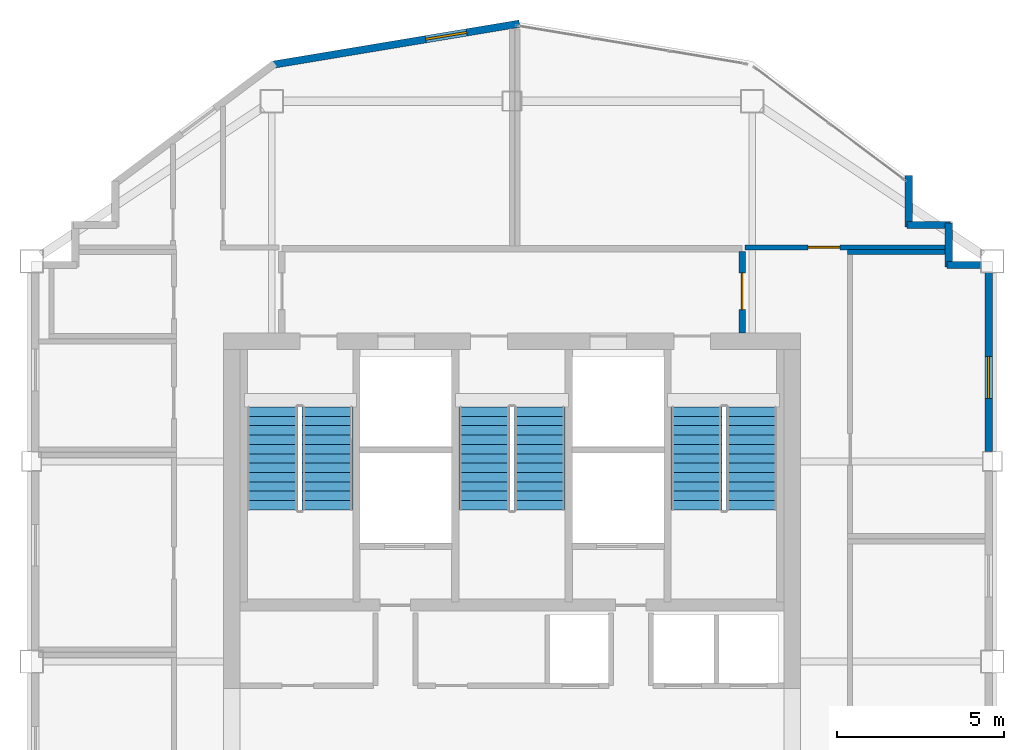
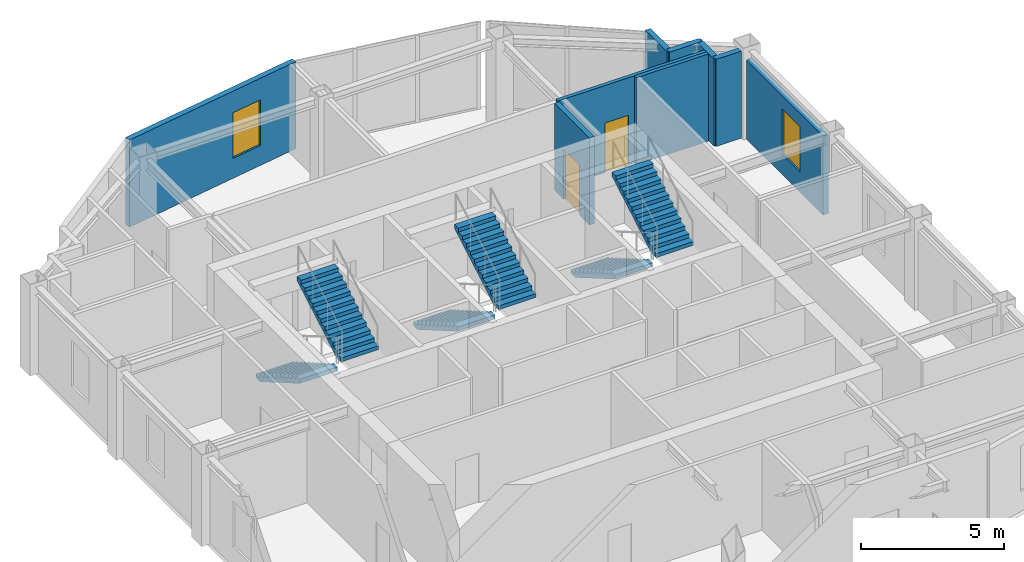
# One storey, part 7 of 8: 9 walls, 6 stair flights, 2 doors, 2 windows, 4 openings, 3 elements without a shape of their own.
"""IFC4 building model written with IfcOpenShell, lengths in metres."""

from ifc_helpers import new_model, si_unit, direction, frame, frame_2d, origin, place, context, subcontext, project, spatial, polyline, rectangle, outline, extrude, material, layer, layer_set, type_object, element, fill, aggregate, save


model = new_model("IFC4")

# Units and contexts
model_context = context("Model", 3, precision=1e-05, world=origin(), true_north=direction((0.0, 1.0)))
body_context = subcontext(model_context, "Body", "Model", "MODEL_VIEW")
ifc_project = project(units=[si_unit("LENGTHUNIT", "METRE"), si_unit("AREAUNIT", "SQUARE_METRE"), si_unit("VOLUMEUNIT", "CUBIC_METRE"), si_unit("PLANEANGLEUNIT", "RADIAN"), si_unit("MASSUNIT", "GRAM", prefix="KILO")], contexts=[model_context])

# Site, building, storey
site_placement = place(None, origin())
site = spatial("IfcSite", under=ifc_project, at=site_placement, CompositionType="ELEMENT")
building_placement = place(site_placement, origin())
building = spatial("IfcBuilding", under=site, at=building_placement, Name="Haolan Belvedere Tower", CompositionType="ELEMENT")
storey_placement = place(building_placement, frame((0.0, 0.0, 305.60009765625)))
storey = spatial("IfcBuildingStorey", under=building, at=storey_placement, Name="L77", CompositionType="ELEMENT", Elevation=305.60009765625)

# Wall, opening, window
ifc_material_1 = material(Name="Precast concrete C40/50", Category="concrete")
ifc_layer_1 = layer(ifc_material_1, 0.219970703125, Name="Precast concrete C40/50")
ifc_layer_set_1 = layer_set([ifc_layer_1], Name="Precast concrete C40/50")
wall_type_1 = type_object("IfcWallType", Name="WL-EXT-220", PredefinedType="SOLIDWALL", material=ifc_layer_set_1)
wall_1_placement = place(storey_placement, frame((52.68994140625, 39.89208984375, 0.0), z_axis=(0.0, 0.0, 1.0), x_axis=(0.0, 1.0, 0.0)))
wall_1 = element("IfcWall", 1, at=wall_1_placement, inside=storey, type_object=wall_type_1, Name="L77 pale-metal exterior spandrel wall 3.4", PredefinedType="SOLIDWALL", context=body_context, shape_type="SweptSolid", body=[
    extrude(rectangle(XDim=5.365966796875, YDim=0.219970703125, at=frame_2d((2.68310546875, 0.0))), origin(), (0.0, 0.0, 1.0), 3.364990234375),
])
opening_1_placement = place(wall_1_placement, frame((1.60009765625, 0.0, 0.85009765625)))
opening_1 = element("IfcOpeningElement", 2, at=opening_1_placement, cuts=wall_1, Name="Opening W-04", PredefinedType="OPENING", context=body_context, shape_type="SweptSolid", body=[
    extrude(rectangle(XDim=1.25, YDim=1.949951171875, at=frame_2d((0.625, 0.97509765625))), frame((0.0, 0.119873046875, 0.0), z_axis=(0.0, -1.0, 0.0), x_axis=(1.0, 0.0, 0.0)), (0.0, 0.0, 1.0), 0.239990234375),
])
ifc_material_2 = material(Name="Anodised aluminium 6063-T6 and Low-E glass", Category="aluminium")
window_type = type_object("IfcWindowType", Name="WN-DECO-Z4", PartitioningType="SINGLE_PANEL", PredefinedType="WINDOW", material=ifc_material_2)
window_1_placement = place(opening_1_placement, origin())
window_1 = element("IfcWindow", 3, at=window_1_placement, inside=storey, type_object=window_type, Name="L77 Art Deco chevron window 1", OverallHeight=1.949951171875, OverallWidth=1.25, PartitioningType="SINGLE_PANEL", PredefinedType="WINDOW", context=body_context, shape_type="SweptSolid", body=[
    extrude(rectangle(XDim=1.25, YDim=1.949951171875, at=frame_2d((0.625, 0.97509765625))), frame((0.0, 0.030029296875, 0.0), z_axis=(0.0, -1.0, 0.0), x_axis=(1.0, 0.0, 0.0)), (0.0, 0.0, 1.0), 0.06005859375),
])
fill(opening_1, window_1)

# Walls
wall_2_placement = place(storey_placement, frame((52.4580078125, 45.489990234375, 0.0), z_axis=(0.0, 0.0, 1.0), x_axis=(-1.0, 0.0, 0.0)))
element("IfcWall", 4, at=wall_2_placement, inside=storey, type_object=wall_type_1, Name="L77 pale-metal exterior spandrel wall 4.1", PredefinedType="SOLIDWALL", context=body_context, shape_type="SweptSolid", body=[
    extrude(rectangle(XDim=1.02294921875, YDim=0.219970703125, at=frame_2d((0.511474609375, 0.0))), origin(), (0.0, 0.0, 1.0), 3.719970703125),
])
wall_3_placement = place(storey_placement, frame((51.489990234375, 45.43505859375, 0.0), z_axis=(0.0, 0.0, 1.0), x_axis=(0.0, 1.0, 0.0)))
element("IfcWall", 5, at=wall_3_placement, inside=storey, type_object=wall_type_1, Name="L77 pale-metal exterior spandrel wall 5.1", PredefinedType="SOLIDWALL", context=body_context, shape_type="SweptSolid", body=[
    extrude(rectangle(XDim=1.31005859375, YDim=0.219970703125, at=frame_2d((0.655029296875, 0.0))), origin(), (0.0, 0.0, 1.0), 3.719970703125),
])
wall_4_placement = place(storey_placement, frame((51.544921875, 46.68994140625, 0.0), z_axis=(0.0, 0.0, 1.0), x_axis=(-1.0, 0.0, 0.0)))
element("IfcWall", 6, at=wall_4_placement, inside=storey, type_object=wall_type_1, Name="L77 pale-metal exterior spandrel wall 6.1", PredefinedType="SOLIDWALL", context=body_context, shape_type="SweptSolid", body=[
    extrude(rectangle(XDim=1.309814453125, YDim=0.219970703125, at=frame_2d((0.65478515625, 0.0))), origin(), (0.0, 0.0, 1.0), 3.719970703125),
])
wall_5_placement = place(storey_placement, frame((50.2900390625, 46.635009765625, 0.0), z_axis=(0.0, 0.0, 1.0), x_axis=(0.0, 1.0, 0.0)))
element("IfcWall", 7, at=wall_5_placement, inside=storey, type_object=wall_type_1, Name="L77 pale-metal exterior spandrel wall 7.1", PredefinedType="SOLIDWALL", context=body_context, shape_type="SweptSolid", body=[
    extrude(rectangle(XDim=1.534912109375, YDim=0.219970703125, at=frame_2d((0.767578125, 0.0))), origin(), (0.0, 0.0, 1.0), 3.719970703125),
])

# Wall, opening, window
wall_6_placement = place(storey_placement, frame((38.621826171875, 52.7255859375, 0.0), z_axis=(0.0, 0.0, 1.0), x_axis=(-0.986390420428, -0.164420006349, 0.0)))
wall_6 = element("IfcWall", 8, at=wall_6_placement, inside=storey, type_object=wall_type_1, Name="L77 pale-metal exterior spandrel wall 10.1", PredefinedType="SOLIDWALL", context=body_context, shape_type="SweptSolid", body=[
    extrude(rectangle(XDim=7.5341796875, YDim=0.219970703125, at=frame_2d((3.76708984375, 0.0))), origin(), (0.0, 0.0, 1.0), 3.719970703125),
])
opening_2_placement = place(wall_6_placement, frame((1.60009765625, 0.0, 0.85009765625)))
opening_2 = element("IfcOpeningElement", 9, at=opening_2_placement, cuts=wall_6, Name="Opening W-04", PredefinedType="OPENING", context=body_context, shape_type="SweptSolid", body=[
    extrude(rectangle(XDim=1.25, YDim=1.949951171875, at=frame_2d((0.625, 0.97509765625))), frame((0.0, 0.119873046875, 0.0), z_axis=(0.0, -1.0, 0.0), x_axis=(1.0, 0.0, 0.0)), (0.0, 0.0, 1.0), 0.239990234375),
])
window_2_placement = place(opening_2_placement, origin())
window_2 = element("IfcWindow", 10, at=window_2_placement, inside=storey, type_object=window_type, Name="L77 Art Deco chevron window 1", OverallHeight=1.949951171875, OverallWidth=1.25, PartitioningType="SINGLE_PANEL", PredefinedType="WINDOW", context=body_context, shape_type="SweptSolid", body=[
    extrude(rectangle(XDim=1.25, YDim=1.949951171875, at=frame_2d((0.625, 0.97509765625))), frame((0.0, 0.030029296875, 0.0), z_axis=(0.0, -1.0, 0.0), x_axis=(1.0, 0.0, 0.0)), (0.0, 0.0, 1.0), 0.06005859375),
])
fill(opening_2, window_2)

# Wall, opening, door
ifc_material_3 = material(Name="Concrete C40/50", Category="concrete")
ifc_layer_2 = layer(ifc_material_3, 0.199951171875, Name="Concrete C40/50")
ifc_layer_set_2 = layer_set([ifc_layer_2], Name="Concrete C40/50")
wall_type_2 = type_object("IfcWallType", Name="WL-FIRE-200", PredefinedType="SOLIDWALL", material=ifc_layer_set_2)
wall_7_placement = place(storey_placement, frame((45.300048828125, 43.449951171875, 0.0), z_axis=(0.0, 0.0, 1.0), x_axis=(0.0, 1.0, 0.0)))
wall_7 = element("IfcWall", 11, at=wall_7_placement, inside=storey, type_object=wall_type_2, Name="L77 interior partition IW-L77-FFL-E", PredefinedType="SOLIDWALL", context=body_context, shape_type="SweptSolid", body=[
    extrude(rectangle(XDim=2.445068359375, YDim=0.199951171875, at=frame_2d((1.22265625, 0.0))), origin(), (0.0, 0.0, 1.0), 3.719970703125),
])
opening_3_placement = place(wall_7_placement, frame((0.699951171875, 0.0, 0.0)))
opening_3 = element("IfcOpeningElement", 12, at=opening_3_placement, cuts=wall_7, Name="Opening FD-03", PredefinedType="OPENING", context=body_context, shape_type="SweptSolid", body=[
    extrude(rectangle(XDim=1.10009765625, YDim=2.14990234375, at=frame_2d((0.550048828125, 1.074951171875))), frame((0.0, 0.10986328125, 0.0), z_axis=(0.0, -1.0, 0.0), x_axis=(1.0, 0.0, 0.0)), (0.0, 0.0, 1.0), 0.219970703125),
])
ifc_material_4 = material(Name="Galvanised fire-rated steel", Category="steel")
door_type_1 = type_object("IfcDoorType", Name="DR-FD90-1100", OperationType="NOTDEFINED", PredefinedType="DOOR", material=ifc_material_4)
door_1_placement = place(opening_3_placement, origin())
door_1 = element("IfcDoor", 13, at=door_1_placement, inside=storey, type_object=door_type_1, Name="L77 door ID-L77-FFL-DE", OperationType="SINGLE_SWING_RIGHT", OverallHeight=2.14990234375, OverallWidth=1.10009765625, PredefinedType="DOOR", context=body_context, shape_type="SweptSolid", body=[
    extrude(rectangle(XDim=1.10009765625, YDim=2.14990234375, at=frame_2d((0.550048828125, 1.074951171875))), frame((0.0, 0.02490234375, 0.0), z_axis=(0.0, -1.0, 0.0), x_axis=(1.0, 0.0, 0.0)), (0.0, 0.0, 1.0), 0.050048828125),
])
fill(opening_3, door_1)

# Wall
ifc_material_5 = material(Name="Double gypsum acoustic stud partition", Category="masonry")
ifc_layer_3 = layer(ifc_material_5, 0.14990234375, Name="Double gypsum acoustic stud partition")
ifc_layer_set_3 = layer_set([ifc_layer_3], Name="Double gypsum acoustic stud partition")
wall_type_3 = type_object("IfcWallType", Name="WL-PART-150", PredefinedType="PARTITIONING", material=ifc_layer_set_3)
wall_8_placement = place(storey_placement, frame((48.4599609375, 45.8798828125, 0.0), z_axis=(0.0, 0.0, 1.0), x_axis=(1.0, 0.0, 0.0)))
element("IfcWall", 14, at=wall_8_placement, inside=storey, type_object=wall_type_3, Name="L77 interior partition IW-L77-PH-SPAE-N", PredefinedType="PARTITIONING", context=body_context, shape_type="SweptSolid", body=[
    extrude(rectangle(XDim=2.927978515625, YDim=0.14990234375, at=frame_2d((1.4638671875, 0.0))), origin(), (0.0, 0.0, 1.0), 3.719970703125),
])

# Wall, opening, door
wall_9_placement = place(storey_placement, frame((45.385009765625, 46.02001953125, 0.0), z_axis=(0.0, 0.0, 1.0), x_axis=(1.0, 0.0, 0.0)))
wall_9 = element("IfcWall", 15, at=wall_9_placement, inside=storey, type_object=wall_type_3, Name="L77 interior partition IW-L77-PH-MUS-S", PredefinedType="PARTITIONING", context=body_context, shape_type="SweptSolid", body=[
    extrude(rectangle(XDim=6.0029296875, YDim=0.14990234375, at=frame_2d((3.00146484375, 0.0))), origin(), (0.0, 0.0, 1.0), 3.719970703125),
])
opening_4_placement = place(wall_9_placement, frame((1.89501953125, 0.0, 0.0)))
opening_4 = element("IfcOpeningElement", 16, at=opening_4_placement, cuts=wall_9, Name="Opening ID-03", PredefinedType="OPENING", context=body_context, shape_type="SweptSolid", body=[
    extrude(rectangle(XDim=0.949951171875, YDim=2.1201171875, at=frame_2d((0.47509765625, 1.06005859375))), frame((0.0, 0.0849609375, 0.0), z_axis=(0.0, -1.0, 0.0), x_axis=(1.0, 0.0, 0.0)), (0.0, 0.0, 1.0), 0.169921875),
])
ifc_material_6 = material(Name="Painted solid-core timber", Category="wood")
door_type_2 = type_object("IfcDoorType", Name="DR-INT-950", OperationType="NOTDEFINED", PredefinedType="DOOR", material=ifc_material_6)
door_2_placement = place(opening_4_placement, origin())
door_2 = element("IfcDoor", 17, at=door_2_placement, inside=storey, type_object=door_type_2, Name="L77 door ID-L77-PH-MUS", OperationType="SINGLE_SWING_RIGHT", OverallHeight=2.1201171875, OverallWidth=0.949951171875, PredefinedType="DOOR", context=body_context, shape_type="SweptSolid", body=[
    extrude(rectangle(XDim=0.949951171875, YDim=2.1201171875, at=frame_2d((0.47509765625, 1.06005859375))), frame((0.0, 0.02490234375, 0.0), z_axis=(0.0, -1.0, 0.0), x_axis=(1.0, 0.0, 0.0)), (0.0, 0.0, 1.0), 0.050048828125),
])
fill(opening_4, door_2)

# Stair, stair flights
stair_type = type_object("IfcStairType", Name="STR-DL-24R-162", PredefinedType="HALF_TURN_STAIR", material=ifc_material_3)
stair_1_placement = place(storey_placement, origin())
stair_1 = element("IfcStair", 18, at=stair_1_placement, inside=storey, type_object=stair_type, Name="L77 Smokeproof Core Exit Stair ST1", PredefinedType="HALF_TURN_STAIR")
stair_flight_type = type_object("IfcStairFlightType", Name="SFL-DL-12R-162", PredefinedType="STRAIGHT", material=ifc_material_3)
stair_flight_1_placement = place(storey_placement, frame((31.2099609375, 41.22998046875, 0.0), z_axis=(0.0, 0.0, 1.0), x_axis=(0.0, -1.0, 0.0)))
stair_flight_1 = element("IfcStairFlight", 19, at=stair_flight_1_placement, type_object=stair_flight_type, Name="ST1 flight 1", NumberOfRisers=12, NumberOfTreads=11, PredefinedType="STRAIGHT", RiserHeight=0.1625, TreadLength=0.28, context=body_context, shape_type="SweptSolid", body=[
    extrude(outline(polyline([(0.0, 0.0), (0.0, 0.16259765625), (0.280029296875, 0.16259765625), (0.280029296875, 0.324951171875), (0.56005859375, 0.324951171875), (0.56005859375, 0.487548828125), (0.840087890625, 0.487548828125), (0.840087890625, 0.64990234375), (1.1201171875, 0.64990234375), (1.1201171875, 0.8125), (1.39990234375, 0.8125), (1.39990234375, 0.97509765625), (1.679931640625, 0.97509765625), (1.679931640625, 1.137451171875), (1.9599609375, 1.137451171875), (1.9599609375, 1.300048828125), (2.239990234375, 1.300048828125), (2.239990234375, 1.46240234375), (2.52001953125, 1.46240234375), (2.52001953125, 1.625), (2.800048828125, 1.625), (2.800048828125, 1.78759765625), (3.080078125, 1.78759765625), (3.080078125, 1.949951171875), (3.080078125, 1.6142578125), (0.298583984375, 0.0), (0.0, 0.0)])), frame((0.0, 0.760009765625, 0.0), z_axis=(0.0, -1.0, 0.0), x_axis=(1.0, 0.0, 0.0)), (0.0, 0.0, 1.0), 1.52001953125),
])
stair_flight_2_placement = place(storey_placement, frame((32.8701171875, 38.14990234375, 1.949951171875), z_axis=(0.0, 0.0, 1.0), x_axis=(0.0, 1.0, 0.0)))
stair_flight_2 = element("IfcStairFlight", 20, at=stair_flight_2_placement, type_object=stair_flight_type, Name="ST1 flight 2", NumberOfRisers=12, NumberOfTreads=11, PredefinedType="STRAIGHT", RiserHeight=0.1625, TreadLength=0.28, context=body_context, shape_type="SweptSolid", body=[
    extrude(outline(polyline([(0.0, 0.0), (0.0, 0.16259765625), (0.280029296875, 0.16259765625), (0.280029296875, 0.324951171875), (0.56005859375, 0.324951171875), (0.56005859375, 0.487548828125), (0.840087890625, 0.487548828125), (0.840087890625, 0.64990234375), (1.1201171875, 0.64990234375), (1.1201171875, 0.8125), (1.39990234375, 0.8125), (1.39990234375, 0.97509765625), (1.679931640625, 0.97509765625), (1.679931640625, 1.137451171875), (1.9599609375, 1.137451171875), (1.9599609375, 1.300048828125), (2.239990234375, 1.300048828125), (2.239990234375, 1.46240234375), (2.52001953125, 1.46240234375), (2.52001953125, 1.625), (2.800048828125, 1.625), (2.800048828125, 1.78759765625), (3.080078125, 1.78759765625), (3.080078125, 1.949951171875), (3.080078125, 1.6142578125), (0.298583984375, 0.0), (0.0, 0.0)])), frame((0.0, 0.760009765625, 0.0), z_axis=(0.0, -1.0, 0.0), x_axis=(1.0, 0.0, 0.0)), (0.0, 0.0, 1.0), 1.52001953125),
])
aggregate(stair_1, [stair_flight_1, stair_flight_2])

stair_2_placement = place(storey_placement, origin())
stair_2 = element("IfcStair", 21, at=stair_2_placement, inside=storey, type_object=stair_type, Name="L77 Smokeproof Core Exit Stair ST3", PredefinedType="HALF_TURN_STAIR")
stair_flight_3_placement = place(storey_placement, frame((37.570068359375, 41.22998046875, 0.0), z_axis=(0.0, 0.0, 1.0), x_axis=(0.0, -1.0, 0.0)))
stair_flight_3 = element("IfcStairFlight", 22, at=stair_flight_3_placement, type_object=stair_flight_type, Name="ST3 flight 1", NumberOfRisers=12, NumberOfTreads=11, PredefinedType="STRAIGHT", RiserHeight=0.1625, TreadLength=0.28, context=body_context, shape_type="SweptSolid", body=[
    extrude(outline(polyline([(0.0, 0.0), (0.0, 0.16259765625), (0.280029296875, 0.16259765625), (0.280029296875, 0.324951171875), (0.56005859375, 0.324951171875), (0.56005859375, 0.487548828125), (0.840087890625, 0.487548828125), (0.840087890625, 0.64990234375), (1.1201171875, 0.64990234375), (1.1201171875, 0.8125), (1.39990234375, 0.8125), (1.39990234375, 0.97509765625), (1.679931640625, 0.97509765625), (1.679931640625, 1.137451171875), (1.9599609375, 1.137451171875), (1.9599609375, 1.300048828125), (2.239990234375, 1.300048828125), (2.239990234375, 1.46240234375), (2.52001953125, 1.46240234375), (2.52001953125, 1.625), (2.800048828125, 1.625), (2.800048828125, 1.78759765625), (3.080078125, 1.78759765625), (3.080078125, 1.949951171875), (3.080078125, 1.6142578125), (0.298583984375, 0.0), (0.0, 0.0)])), frame((0.0, 0.760009765625, 0.0), z_axis=(0.0, -1.0, 0.0), x_axis=(1.0, 0.0, 0.0)), (0.0, 0.0, 1.0), 1.52001953125),
])
stair_flight_4_placement = place(storey_placement, frame((39.22998046875, 38.14990234375, 1.949951171875), z_axis=(0.0, 0.0, 1.0), x_axis=(0.0, 1.0, 0.0)))
stair_flight_4 = element("IfcStairFlight", 23, at=stair_flight_4_placement, type_object=stair_flight_type, Name="ST3 flight 2", NumberOfRisers=12, NumberOfTreads=11, PredefinedType="STRAIGHT", RiserHeight=0.1625, TreadLength=0.28, context=body_context, shape_type="SweptSolid", body=[
    extrude(outline(polyline([(0.0, 0.0), (0.0, 0.16259765625), (0.280029296875, 0.16259765625), (0.280029296875, 0.324951171875), (0.56005859375, 0.324951171875), (0.56005859375, 0.487548828125), (0.840087890625, 0.487548828125), (0.840087890625, 0.64990234375), (1.1201171875, 0.64990234375), (1.1201171875, 0.8125), (1.39990234375, 0.8125), (1.39990234375, 0.97509765625), (1.679931640625, 0.97509765625), (1.679931640625, 1.137451171875), (1.9599609375, 1.137451171875), (1.9599609375, 1.300048828125), (2.239990234375, 1.300048828125), (2.239990234375, 1.46240234375), (2.52001953125, 1.46240234375), (2.52001953125, 1.625), (2.800048828125, 1.625), (2.800048828125, 1.78759765625), (3.080078125, 1.78759765625), (3.080078125, 1.949951171875), (3.080078125, 1.6142578125), (0.298583984375, 0.0), (0.0, 0.0)])), frame((0.0, 0.760009765625, 0.0), z_axis=(0.0, -1.0, 0.0), x_axis=(1.0, 0.0, 0.0)), (0.0, 0.0, 1.0), 1.52001953125),
])
aggregate(stair_2, [stair_flight_3, stair_flight_4])

stair_3_placement = place(storey_placement, origin())
stair_3 = element("IfcStair", 24, at=stair_3_placement, inside=storey, type_object=stair_type, Name="L77 Smokeproof Core Exit Stair ST2", PredefinedType="HALF_TURN_STAIR")
stair_flight_5_placement = place(storey_placement, frame((43.929931640625, 41.22998046875, 0.0), z_axis=(0.0, 0.0, 1.0), x_axis=(0.0, -1.0, 0.0)))
stair_flight_5 = element("IfcStairFlight", 25, at=stair_flight_5_placement, type_object=stair_flight_type, Name="ST2 flight 1", NumberOfRisers=12, NumberOfTreads=11, PredefinedType="STRAIGHT", RiserHeight=0.1625, TreadLength=0.28, context=body_context, shape_type="SweptSolid", body=[
    extrude(outline(polyline([(0.0, 0.0), (0.0, 0.16259765625), (0.280029296875, 0.16259765625), (0.280029296875, 0.324951171875), (0.56005859375, 0.324951171875), (0.56005859375, 0.487548828125), (0.840087890625, 0.487548828125), (0.840087890625, 0.64990234375), (1.1201171875, 0.64990234375), (1.1201171875, 0.8125), (1.39990234375, 0.8125), (1.39990234375, 0.97509765625), (1.679931640625, 0.97509765625), (1.679931640625, 1.137451171875), (1.9599609375, 1.137451171875), (1.9599609375, 1.300048828125), (2.239990234375, 1.300048828125), (2.239990234375, 1.46240234375), (2.52001953125, 1.46240234375), (2.52001953125, 1.625), (2.800048828125, 1.625), (2.800048828125, 1.78759765625), (3.080078125, 1.78759765625), (3.080078125, 1.949951171875), (3.080078125, 1.6142578125), (0.298583984375, 0.0), (0.0, 0.0)])), frame((0.0, 0.760009765625, 0.0), z_axis=(0.0, -1.0, 0.0), x_axis=(1.0, 0.0, 0.0)), (0.0, 0.0, 1.0), 1.52001953125),
])
stair_flight_6_placement = place(storey_placement, frame((45.590087890625, 38.14990234375, 1.949951171875), z_axis=(0.0, 0.0, 1.0), x_axis=(0.0, 1.0, 0.0)))
stair_flight_6 = element("IfcStairFlight", 26, at=stair_flight_6_placement, type_object=stair_flight_type, Name="ST2 flight 2", NumberOfRisers=12, NumberOfTreads=11, PredefinedType="STRAIGHT", RiserHeight=0.1625, TreadLength=0.28, context=body_context, shape_type="SweptSolid", body=[
    extrude(outline(polyline([(0.0, 0.0), (0.0, 0.16259765625), (0.280029296875, 0.16259765625), (0.280029296875, 0.324951171875), (0.56005859375, 0.324951171875), (0.56005859375, 0.487548828125), (0.840087890625, 0.487548828125), (0.840087890625, 0.64990234375), (1.1201171875, 0.64990234375), (1.1201171875, 0.8125), (1.39990234375, 0.8125), (1.39990234375, 0.97509765625), (1.679931640625, 0.97509765625), (1.679931640625, 1.137451171875), (1.9599609375, 1.137451171875), (1.9599609375, 1.300048828125), (2.239990234375, 1.300048828125), (2.239990234375, 1.46240234375), (2.52001953125, 1.46240234375), (2.52001953125, 1.625), (2.800048828125, 1.625), (2.800048828125, 1.78759765625), (3.080078125, 1.78759765625), (3.080078125, 1.949951171875), (3.080078125, 1.6142578125), (0.298583984375, 0.0), (0.0, 0.0)])), frame((0.0, 0.760009765625, 0.0), z_axis=(0.0, -1.0, 0.0), x_axis=(1.0, 0.0, 0.0)), (0.0, 0.0, 1.0), 1.52001953125),
])
aggregate(stair_3, [stair_flight_5, stair_flight_6])

save(model, "model.ifc")
